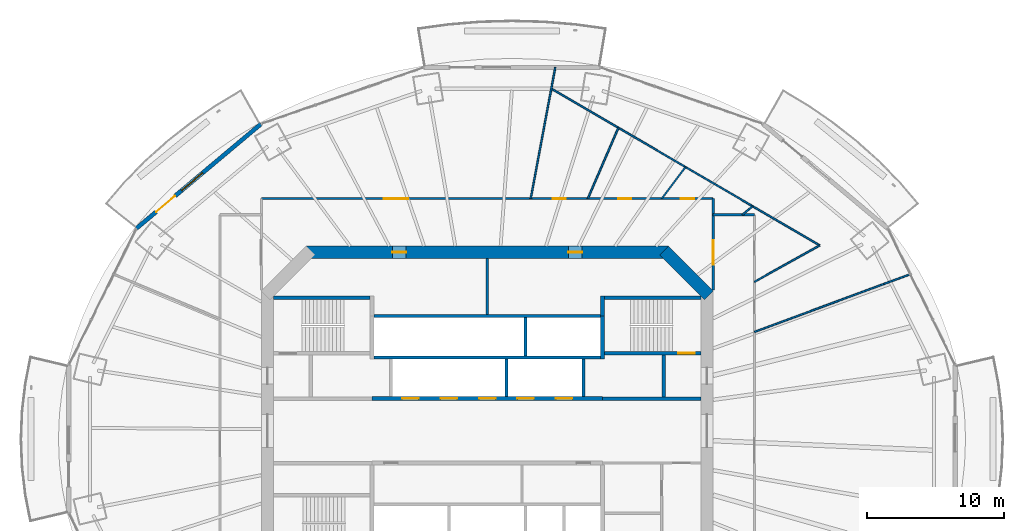
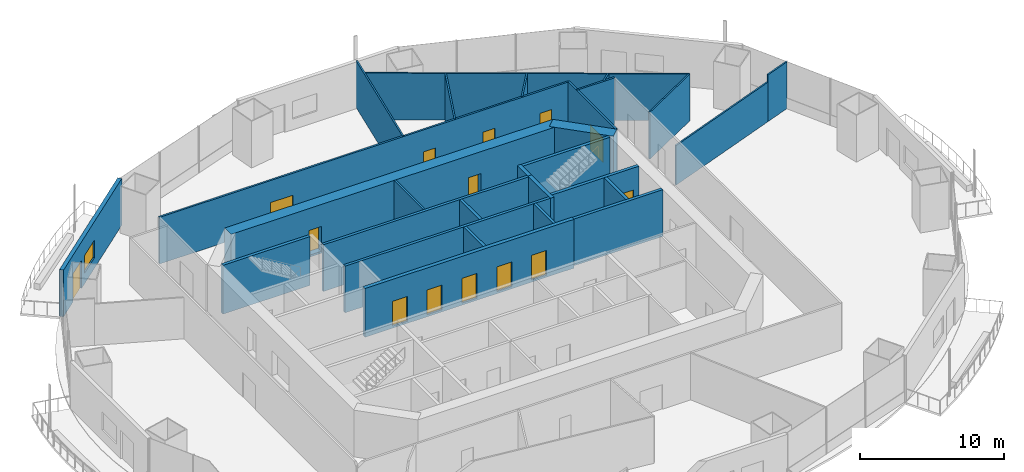
# One storey, part 14 of 21: 28 walls, 14 doors, 1 window, 15 openings.
"""IFC4 building model written with IfcOpenShell, lengths in metres."""

from ifc_helpers import new_model, si_unit, direction, frame, frame_2d, origin, place, context, subcontext, project, spatial, rectangle, extrude, material, layer, layer_set, type_object, element, fill, save


model = new_model("IFC4")

# Units and contexts
model_context = context("Model", 3, precision=1e-05, world=origin(), true_north=direction((0.0, 1.0)))
body_context = subcontext(model_context, "Body", "Model", "MODEL_VIEW")
ifc_project = project(units=[si_unit("LENGTHUNIT", "METRE"), si_unit("AREAUNIT", "SQUARE_METRE"), si_unit("VOLUMEUNIT", "CUBIC_METRE"), si_unit("PLANEANGLEUNIT", "RADIAN"), si_unit("MASSUNIT", "GRAM", prefix="KILO")], contexts=[model_context])

# Site, building, storey
site_placement = place(None, origin())
site = spatial("IfcSite", under=ifc_project, at=site_placement, CompositionType="ELEMENT")
building_placement = place(site_placement, origin())
building = spatial("IfcBuilding", under=site, at=building_placement, Name="Marenthal Gate Tower", CompositionType="ELEMENT")
storey_placement = place(building_placement, frame((0.0, 0.0, 169.35009765625)))
storey = spatial("IfcBuildingStorey", under=building, at=storey_placement, Name="L36", CompositionType="ELEMENT", Elevation=169.35009765625)

# Wall
ifc_material_1 = material(Name="Concrete 60 MPa", Category="concrete")
ifc_layer_1 = layer(ifc_material_1, 0.89990234375)
ifc_layer_set_1 = layer_set([ifc_layer_1], Name="Core shear wall 900")
wall_type_1 = type_object("IfcWallType", Name="Core shear wall 900", PredefinedType="SHEAR", material=ifc_layer_set_1)
wall_1_placement = place(storey_placement, frame((16.1318359375, 9.8681640625, -0.18017578125), z_axis=(0.0, 0.0, 1.0), x_axis=(-0.707106781187, 0.707106781187, 0.0)))
element("IfcWall", 1, at=wall_1_placement, inside=storey, type_object=wall_type_1, Name="Core wall 03", PredefinedType="SHEAR", context=body_context, shape_type="SweptSolid", body=[
    extrude(rectangle(XDim=4.615478515625, YDim=0.89990234375, at=frame_2d((2.3076171875, 0.0))), origin(), (0.0, 0.0, 1.0), 4.150146484375),
])

# Wall, openings, doors
wall_2_placement = place(storey_placement, frame((13.186279296875, 13.0, -0.18017578125), z_axis=(0.0, 0.0, 1.0), x_axis=(-1.0, 0.0, 0.0)))
wall_2 = element("IfcWall", 2, at=wall_2_placement, inside=storey, type_object=wall_type_1, Name="Core wall 04", PredefinedType="SHEAR", context=body_context, shape_type="SweptSolid", body=[
    extrude(rectangle(XDim=26.37255859375, YDim=0.89990234375, at=frame_2d((13.186279296875, 0.0))), origin(), (0.0, 0.0, 1.0), 4.150146484375),
])
opening_1_placement = place(wall_2_placement, frame((19.093505859375, 0.0, 0.179931640625)))
opening_1 = element("IfcOpeningElement", 3, at=opening_1_placement, cuts=wall_2, Name="Opening D005.03", PredefinedType="OPENING", context=body_context, shape_type="SweptSolid", body=[
    extrude(rectangle(XDim=1.0, YDim=2.10009765625, at=frame_2d((0.5, 1.050048828125))), frame((0.0, 0.4599609375, 0.0), z_axis=(0.0, -1.0, 0.0), x_axis=(1.0, 0.0, 0.0)), (0.0, 0.0, 1.0), 0.919921875),
])
opening_2_placement = place(wall_2_placement, frame((6.279296875, 0.0, 0.179931640625)))
opening_2 = element("IfcOpeningElement", 4, at=opening_2_placement, cuts=wall_2, Name="Opening D005.04", PredefinedType="OPENING", context=body_context, shape_type="SweptSolid", body=[
    extrude(rectangle(XDim=1.0, YDim=2.10009765625, at=frame_2d((0.5, 1.050048828125))), frame((0.0, 0.4599609375, 0.0), z_axis=(0.0, -1.0, 0.0), x_axis=(1.0, 0.0, 0.0)), (0.0, 0.0, 1.0), 0.919921875),
])
ifc_material_2 = material(Name="Steel fire door", Category="steel")
door_type_1 = type_object("IfcDoorType", Name="Fire door FD 45 1000 x 2100", OperationType="NOTDEFINED", PredefinedType="DOOR", material=ifc_material_2)
door_1_placement = place(opening_1_placement, origin())
door_1 = element("IfcDoor", 5, at=door_1_placement, inside=storey, type_object=door_type_1, Name="Door D005.03", OperationType="SINGLE_SWING_RIGHT", OverallHeight=2.10009765625, OverallWidth=1.0, PredefinedType="DOOR", context=body_context, shape_type="SweptSolid", body=[
    extrude(rectangle(XDim=1.0, YDim=2.10009765625, at=frame_2d((0.5, 1.050048828125))), frame((0.0, 0.02490234375, 0.0), z_axis=(0.0, -1.0, 0.0), x_axis=(1.0, 0.0, 0.0)), (0.0, 0.0, 1.0), 0.050048828125),
])
fill(opening_1, door_1)
door_2_placement = place(opening_2_placement, origin())
door_2 = element("IfcDoor", 6, at=door_2_placement, inside=storey, type_object=door_type_1, Name="Door D005.04", OperationType="SINGLE_SWING_RIGHT", OverallHeight=2.10009765625, OverallWidth=1.0, PredefinedType="DOOR", context=body_context, shape_type="SweptSolid", body=[
    extrude(rectangle(XDim=1.0, YDim=2.10009765625, at=frame_2d((0.5, 1.050048828125))), frame((0.0, 0.02490234375, 0.0), z_axis=(0.0, -1.0, 0.0), x_axis=(1.0, 0.0, 0.0)), (0.0, 0.0, 1.0), 0.050048828125),
])
fill(opening_2, door_2)

ifc_material_3 = material(Name="Concrete 50 MPa", Category="concrete")
ifc_layer_2 = layer(ifc_material_3, 0.300048828125)
ifc_layer_set_2 = layer_set([ifc_layer_2], Name="Hoistway shear wall 300")
wall_type_2 = type_object("IfcWallType", Name="Hoistway shear wall 300", PredefinedType="SHEAR", material=ifc_layer_set_2)
wall_3_placement = place(storey_placement, frame((-8.39990234375, 2.35009765625, -0.18017578125), z_axis=(0.0, 0.0, 1.0), x_axis=(1.0, 0.0, 0.0)))
wall_3 = element("IfcWall", 7, at=wall_3_placement, inside=storey, type_object=wall_type_2, Name="Hoistway wall 19", PredefinedType="SHEAR", context=body_context, shape_type="SweptSolid", body=[
    extrude(rectangle(XDim=16.7998046875, YDim=0.300048828125, at=frame_2d((8.39990234375, 0.0))), origin(), (0.0, 0.0, 1.0), 4.150146484375),
])
opening_3_placement = place(wall_3_placement, frame((2.199951171875, 0.0, 0.179931640625)))
opening_3 = element("IfcOpeningElement", 8, at=opening_3_placement, cuts=wall_3, Name="Opening LD-MP1", PredefinedType="OPENING", context=body_context, shape_type="SweptSolid", body=[
    extrude(rectangle(XDim=1.199951171875, YDim=2.10009765625, at=frame_2d((0.60009765625, 1.050048828125))), frame((0.0, 0.16015625, 0.0), z_axis=(0.0, -1.0, 0.0), x_axis=(1.0, 0.0, 0.0)), (0.0, 0.0, 1.0), 0.320068359375),
])
opening_4_placement = place(wall_3_placement, frame((5.0, 0.0, 0.179931640625)))
opening_4 = element("IfcOpeningElement", 9, at=opening_4_placement, cuts=wall_3, Name="Opening LD-MP2", PredefinedType="OPENING", context=body_context, shape_type="SweptSolid", body=[
    extrude(rectangle(XDim=1.199951171875, YDim=2.10009765625, at=frame_2d((0.60009765625, 1.050048828125))), frame((0.0, 0.16015625, 0.0), z_axis=(0.0, -1.0, 0.0), x_axis=(1.0, 0.0, 0.0)), (0.0, 0.0, 1.0), 0.320068359375),
])
opening_5_placement = place(wall_3_placement, frame((7.800048828125, 0.0, 0.179931640625)))
opening_5 = element("IfcOpeningElement", 10, at=opening_5_placement, cuts=wall_3, Name="Opening LD-MP3", PredefinedType="OPENING", context=body_context, shape_type="SweptSolid", body=[
    extrude(rectangle(XDim=1.199951171875, YDim=2.10009765625, at=frame_2d((0.60009765625, 1.050048828125))), frame((0.0, 0.16015625, 0.0), z_axis=(0.0, -1.0, 0.0), x_axis=(1.0, 0.0, 0.0)), (0.0, 0.0, 1.0), 0.320068359375),
])
opening_6_placement = place(wall_3_placement, frame((10.60009765625, 0.0, 0.179931640625)))
opening_6 = element("IfcOpeningElement", 11, at=opening_6_placement, cuts=wall_3, Name="Opening LD-MP4", PredefinedType="OPENING", context=body_context, shape_type="SweptSolid", body=[
    extrude(rectangle(XDim=1.199951171875, YDim=2.10009765625, at=frame_2d((0.60009765625, 1.050048828125))), frame((0.0, 0.16015625, 0.0), z_axis=(0.0, -1.0, 0.0), x_axis=(1.0, 0.0, 0.0)), (0.0, 0.0, 1.0), 0.320068359375),
])
opening_7_placement = place(wall_3_placement, frame((13.39990234375, 0.0, 0.179931640625)))
opening_7 = element("IfcOpeningElement", 12, at=opening_7_placement, cuts=wall_3, Name="Opening LD-MP5", PredefinedType="OPENING", context=body_context, shape_type="SweptSolid", body=[
    extrude(rectangle(XDim=1.199951171875, YDim=2.10009765625, at=frame_2d((0.60009765625, 1.050048828125))), frame((0.0, 0.16015625, 0.0), z_axis=(0.0, -1.0, 0.0), x_axis=(1.0, 0.0, 0.0)), (0.0, 0.0, 1.0), 0.320068359375),
])
ifc_material_4 = material(Name="Stainless steel sliding door", Category="steel")
door_type_2 = type_object("IfcDoorType", Name="Lift landing door FD 90 1200 x 2100", OperationType="DOUBLE_DOOR_SLIDING", PredefinedType="DOOR", material=ifc_material_4)
door_3_placement = place(opening_3_placement, origin())
door_3 = element("IfcDoor", 13, at=door_3_placement, inside=storey, type_object=door_type_2, Name="Lift landing door MP1", OperationType="DOUBLE_DOOR_SLIDING", OverallHeight=2.10009765625, OverallWidth=1.199951171875, PredefinedType="DOOR", context=body_context, shape_type="SweptSolid", body=[
    extrude(rectangle(XDim=1.199951171875, YDim=2.10009765625, at=frame_2d((0.60009765625, 1.050048828125))), frame((0.0, 0.02490234375, 0.0), z_axis=(0.0, -1.0, 0.0), x_axis=(1.0, 0.0, 0.0)), (0.0, 0.0, 1.0), 0.050048828125),
])
fill(opening_3, door_3)
door_4_placement = place(opening_4_placement, origin())
door_4 = element("IfcDoor", 14, at=door_4_placement, inside=storey, type_object=door_type_2, Name="Lift landing door MP2", OperationType="DOUBLE_DOOR_SLIDING", OverallHeight=2.10009765625, OverallWidth=1.199951171875, PredefinedType="DOOR", context=body_context, shape_type="SweptSolid", body=[
    extrude(rectangle(XDim=1.199951171875, YDim=2.10009765625, at=frame_2d((0.60009765625, 1.050048828125))), frame((0.0, 0.02490234375, 0.0), z_axis=(0.0, -1.0, 0.0), x_axis=(1.0, 0.0, 0.0)), (0.0, 0.0, 1.0), 0.050048828125),
])
fill(opening_4, door_4)
door_5_placement = place(opening_5_placement, origin())
door_5 = element("IfcDoor", 15, at=door_5_placement, inside=storey, type_object=door_type_2, Name="Lift landing door MP3", OperationType="DOUBLE_DOOR_SLIDING", OverallHeight=2.10009765625, OverallWidth=1.199951171875, PredefinedType="DOOR", context=body_context, shape_type="SweptSolid", body=[
    extrude(rectangle(XDim=1.199951171875, YDim=2.10009765625, at=frame_2d((0.60009765625, 1.050048828125))), frame((0.0, 0.02490234375, 0.0), z_axis=(0.0, -1.0, 0.0), x_axis=(1.0, 0.0, 0.0)), (0.0, 0.0, 1.0), 0.050048828125),
])
fill(opening_5, door_5)
door_6_placement = place(opening_6_placement, origin())
door_6 = element("IfcDoor", 16, at=door_6_placement, inside=storey, type_object=door_type_2, Name="Lift landing door MP4", OperationType="DOUBLE_DOOR_SLIDING", OverallHeight=2.10009765625, OverallWidth=1.199951171875, PredefinedType="DOOR", context=body_context, shape_type="SweptSolid", body=[
    extrude(rectangle(XDim=1.199951171875, YDim=2.10009765625, at=frame_2d((0.60009765625, 1.050048828125))), frame((0.0, 0.02490234375, 0.0), z_axis=(0.0, -1.0, 0.0), x_axis=(1.0, 0.0, 0.0)), (0.0, 0.0, 1.0), 0.050048828125),
])
fill(opening_6, door_6)
door_7_placement = place(opening_7_placement, origin())
door_7 = element("IfcDoor", 17, at=door_7_placement, inside=storey, type_object=door_type_2, Name="Lift landing door MP5", OperationType="DOUBLE_DOOR_SLIDING", OverallHeight=2.10009765625, OverallWidth=1.199951171875, PredefinedType="DOOR", context=body_context, shape_type="SweptSolid", body=[
    extrude(rectangle(XDim=1.199951171875, YDim=2.10009765625, at=frame_2d((0.60009765625, 1.050048828125))), frame((0.0, 0.02490234375, 0.0), z_axis=(0.0, -1.0, 0.0), x_axis=(1.0, 0.0, 0.0)), (0.0, 0.0, 1.0), 0.050048828125),
])
fill(opening_7, door_7)

# Walls
wall_4_placement = place(storey_placement, frame((8.39990234375, 5.239990234375, -0.18017578125), z_axis=(0.0, 0.0, 1.0), x_axis=(0.0, 1.0, 0.0)))
element("IfcWall", 18, at=wall_4_placement, inside=storey, type_object=wall_type_2, Name="Hoistway wall 45", PredefinedType="SHEAR", context=body_context, shape_type="SweptSolid", body=[
    extrude(rectangle(XDim=3.110107421875, YDim=0.300048828125, at=frame_2d((1.55517578125, 0.0))), origin(), (0.0, 0.0, 1.0), 4.150146484375),
])
ifc_material_5 = material(Name="Concrete 40 MPa", Category="concrete")
ifc_layer_3 = layer(ifc_material_5, 0.219970703125)
ifc_layer_set_3 = layer_set([ifc_layer_3], Name="Hoistway wall 220")
wall_type_3 = type_object("IfcWallType", Name="Hoistway wall 220", PredefinedType="STANDARD", material=ifc_layer_set_3)
for number, where, z_axis, x_axis, name in (
    (19, (-8.25, 5.35009765625, 0.0), (0.0, 0.0, 1.0), (1.0, 0.0, 0.0), "Hoistway wall 21"),
    (20, (-8.25, 8.35009765625, 0.0), (0.0, 0.0, 1.0), (1.0, 0.0, 0.0), "Hoistway wall 24"),
):
    element("IfcWall", number, at=place(storey_placement, frame(where, z_axis=z_axis, x_axis=x_axis)), inside=storey, type_object=wall_type_3, Name=name, PredefinedType="STANDARD", context=body_context, shape_type="SweptSolid", body=[
        extrude(rectangle(XDim=16.5, YDim=0.219970703125, at=frame_2d((8.25, 0.0))), origin(), (0.0, 0.0, 1.0), 3.969970703125),
    ])
wall_5_placement = place(storey_placement, frame((1.39990234375, 2.5, 0.0), z_axis=(0.0, 0.0, 1.0), x_axis=(0.0, 1.0, 0.0)))
element("IfcWall", 21, at=wall_5_placement, inside=storey, type_object=wall_type_3, Name="Hoistway wall 37", PredefinedType="STANDARD", context=body_context, shape_type="SweptSolid", body=[
    extrude(rectangle(XDim=2.739990234375, YDim=0.219970703125, at=frame_2d((1.3701171875, 0.0))), origin(), (0.0, 0.0, 1.0), 3.969970703125),
])
wall_6_placement = place(storey_placement, frame((2.800048828125, 5.4599609375, 0.0), z_axis=(0.0, 0.0, 1.0), x_axis=(0.0, 1.0, 0.0)))
element("IfcWall", 22, at=wall_6_placement, inside=storey, type_object=wall_type_3, Name="Hoistway wall 40", PredefinedType="STANDARD", context=body_context, shape_type="SweptSolid", body=[
    extrude(rectangle(XDim=2.780029296875, YDim=0.219970703125, at=frame_2d((1.39013671875, 0.0))), origin(), (0.0, 0.0, 1.0), 3.969970703125),
])
wall_7_placement = place(storey_placement, frame((7.0, 2.5, 0.0), z_axis=(0.0, 0.0, 1.0), x_axis=(0.0, 1.0, 0.0)))
element("IfcWall", 23, at=wall_7_placement, inside=storey, type_object=wall_type_3, Name="Hoistway wall 42", PredefinedType="STANDARD", context=body_context, shape_type="SweptSolid", body=[
    extrude(rectangle(XDim=2.739990234375, YDim=0.219970703125, at=frame_2d((1.3701171875, 0.0))), origin(), (0.0, 0.0, 1.0), 3.969970703125),
])
ifc_material_6 = material(Name="Gypsum board on steel studs", Category="steel")
ifc_layer_4 = layer(ifc_material_6, 0.1201171875)
ifc_layer_set_4 = layer_set([ifc_layer_4], Name="Partition 120")
wall_type_4 = type_object("IfcWallType", Name="Partition 120", PredefinedType="PARTITIONING", material=ifc_layer_set_4)
wall_8_placement = place(storey_placement, frame((3.162109375, 16.90380859375, 0.0), z_axis=(0.0, 0.0, 1.0), x_axis=(0.183861029676, 0.982952247958, 0.0)))
element("IfcWall", 24, at=wall_8_placement, inside=storey, type_object=wall_type_4, Name="Partition wall 58", PredefinedType="PARTITIONING", context=body_context, shape_type="SweptSolid", body=[
    extrude(rectangle(XDim=9.723876953125, YDim=0.1201171875, at=frame_2d((4.86181640625, 0.0))), origin(), (0.0, 0.0, 1.0), 3.969970703125),
])
wall_9_placement = place(storey_placement, frame((9.547119140625, 22.0625, 0.0), z_axis=(0.0, 0.0, 1.0), x_axis=(-0.397156395758, -0.917750945142, 0.0)))
element("IfcWall", 25, at=wall_9_placement, inside=storey, type_object=wall_type_4, Name="Partition wall 60", PredefinedType="PARTITIONING", context=body_context, shape_type="SweptSolid", body=[
    extrude(rectangle(XDim=5.62109375, YDim=0.1201171875, at=frame_2d((2.810546875, 0.0))), origin(), (0.0, 0.0, 1.0), 3.969970703125),
])
wall_10_placement = place(storey_placement, frame((14.43310546875, 19.208984375, 0.0), z_axis=(0.0, 0.0, 1.0), x_axis=(-0.600731295076, -0.799451006076, 0.0)))
element("IfcWall", 26, at=wall_10_placement, inside=storey, type_object=wall_type_4, Name="Partition wall 61", PredefinedType="PARTITIONING", context=body_context, shape_type="SweptSolid", body=[
    extrude(rectangle(XDim=2.883544921875, YDim=0.1201171875, at=frame_2d((1.44189453125, 0.0))), origin(), (0.0, 0.0, 1.0), 3.969970703125),
])
wall_11_placement = place(storey_placement, frame((19.3193359375, 16.355712890625, 0.0), z_axis=(0.0, 0.0, 1.0), x_axis=(-0.763098484836, -0.646282215786, 0.0)))
element("IfcWall", 27, at=wall_11_placement, inside=storey, type_object=wall_type_4, Name="Partition wall 64", PredefinedType="PARTITIONING", context=body_context, shape_type="SweptSolid", body=[
    extrude(rectangle(XDim=0.965576171875, YDim=0.1201171875, at=frame_2d((0.48291015625, 0.0))), origin(), (0.0, 0.0, 1.0), 3.969970703125),
])
wall_12_placement = place(storey_placement, frame((19.449951171875, 7.202880859375, 0.0), z_axis=(0.0, 0.0, 1.0), x_axis=(0.937755221978, 0.347296909939, 0.0)))
element("IfcWall", 28, at=wall_12_placement, inside=storey, type_object=wall_type_4, Name="Partition wall 66", PredefinedType="PARTITIONING", context=body_context, shape_type="SweptSolid", body=[
    extrude(rectangle(XDim=10.027099609375, YDim=0.1201171875, at=frame_2d((5.013671875, 0.0))), origin(), (0.0, 0.0, 1.0), 3.35791015625),
])
wall_13_placement = place(storey_placement, frame((28.85302734375, 10.685302734375, 0.0), z_axis=(0.0, 0.0, 1.0), x_axis=(0.937792808767, 0.347195402944, 0.0)))
element("IfcWall", 29, at=wall_13_placement, inside=storey, type_object=wall_type_4, Name="Partition wall 71", PredefinedType="PARTITIONING", context=body_context, shape_type="SweptSolid", body=[
    extrude(rectangle(XDim=2.072265625, YDim=0.1201171875, at=frame_2d((1.0361328125, 0.0))), origin(), (0.0, 0.0, 1.0), 3.969970703125),
])
wall_14_placement = place(storey_placement, frame((24.20556640625, 13.50244140625, 0.0), z_axis=(0.0, 0.0, 1.0), x_axis=(-0.863538195042, 0.504283437864, 0.0)))
element("IfcWall", 30, at=wall_14_placement, inside=storey, type_object=wall_type_4, Name="Partition wall 68", PredefinedType="PARTITIONING", context=body_context, shape_type="SweptSolid", body=[
    extrude(rectangle(XDim=22.63330078125, YDim=0.1201171875, at=frame_2d((11.316650390625, 0.0))), origin(), (0.0, 0.0, 1.0), 3.969970703125),
])
wall_15_placement = place(storey_placement, frame((24.20556640625, 13.50244140625, 0.0), z_axis=(0.0, 0.0, 1.0), x_axis=(-0.873312155931, -0.487161039394, 0.0)))
element("IfcWall", 31, at=wall_15_placement, inside=storey, type_object=wall_type_4, Name="Partition wall 69", PredefinedType="PARTITIONING", context=body_context, shape_type="SweptSolid", body=[
    extrude(rectangle(XDim=5.445556640625, YDim=0.1201171875, at=frame_2d((2.72265625, 0.0))), origin(), (0.0, 0.0, 1.0), 3.969970703125),
])
ifc_material_7 = material(Name="Gypsum board on steel studs", Category="steel")
ifc_layer_5 = layer(ifc_material_7, 0.14990234375)
ifc_layer_set_5 = layer_set([ifc_layer_5], Name="Partition 150")
wall_type_5 = type_object("IfcWallType", Name="Partition 150", PredefinedType="PARTITIONING", material=ifc_layer_set_5)
wall_16_placement = place(storey_placement, frame((0.0, 8.4599609375, 0.0), z_axis=(0.0, 0.0, 1.0), x_axis=(0.0, 1.0, 0.0)))
element("IfcWall", 32, at=wall_16_placement, inside=storey, type_object=wall_type_5, Name="Partition wall 36", PredefinedType="PARTITIONING", context=body_context, shape_type="SweptSolid", body=[
    extrude(rectangle(XDim=4.090087890625, YDim=0.14990234375, at=frame_2d((2.044921875, 0.0))), origin(), (0.0, 0.0, 1.0), 3.969970703125),
])

# Wall, openings, doors
wall_17_placement = place(storey_placement, frame((-16.449951171875, 16.90380859375, 0.0), z_axis=(0.0, 0.0, 1.0), x_axis=(1.0, 0.0, 0.0)))
wall_17 = element("IfcWall", 33, at=wall_17_placement, inside=storey, type_object=wall_type_5, Name="Partition wall 54", PredefinedType="PARTITIONING", context=body_context, shape_type="SweptSolid", body=[
    extrude(rectangle(XDim=32.89990234375, YDim=0.14990234375, at=frame_2d((16.449951171875, 0.0))), origin(), (0.0, 0.0, 1.0), 3.969970703125),
])
opening_8_placement = place(wall_17_placement, frame((30.550048828125, 0.0, 0.0)))
opening_8 = element("IfcOpeningElement", 34, at=opening_8_placement, cuts=wall_17, Name="Opening D016.02", PredefinedType="OPENING", context=body_context, shape_type="SweptSolid", body=[
    extrude(rectangle(XDim=0.949951171875, YDim=2.10009765625, at=frame_2d((0.47509765625, 1.050048828125))), frame((0.0, 0.0849609375, 0.0), z_axis=(0.0, -1.0, 0.0), x_axis=(1.0, 0.0, 0.0)), (0.0, 0.0, 1.0), 0.169921875),
])
opening_9_placement = place(wall_17_placement, frame((25.98291015625, 0.0, 0.0)))
opening_9 = element("IfcOpeningElement", 35, at=opening_9_placement, cuts=wall_17, Name="Opening D016.03", PredefinedType="OPENING", context=body_context, shape_type="SweptSolid", body=[
    extrude(rectangle(XDim=0.949951171875, YDim=2.10009765625, at=frame_2d((0.47509765625, 1.050048828125))), frame((0.0, 0.0849609375, 0.0), z_axis=(0.0, -1.0, 0.0), x_axis=(1.0, 0.0, 0.0)), (0.0, 0.0, 1.0), 0.169921875),
])
opening_10_placement = place(wall_17_placement, frame((21.212890625, 0.0, 0.0)))
opening_10 = element("IfcOpeningElement", 36, at=opening_10_placement, cuts=wall_17, Name="Opening D016.04", PredefinedType="OPENING", context=body_context, shape_type="SweptSolid", body=[
    extrude(rectangle(XDim=0.949951171875, YDim=2.10009765625, at=frame_2d((0.47509765625, 1.050048828125))), frame((0.0, 0.0849609375, 0.0), z_axis=(0.0, -1.0, 0.0), x_axis=(1.0, 0.0, 0.0)), (0.0, 0.0, 1.0), 0.169921875),
])
opening_11_placement = place(wall_17_placement, frame((8.906005859375, 0.0, 0.0)))
opening_11 = element("IfcOpeningElement", 37, at=opening_11_placement, cuts=wall_17, Name="Opening D014.01", PredefinedType="OPENING", context=body_context, shape_type="SweptSolid", body=[
    extrude(rectangle(XDim=1.800048828125, YDim=2.10009765625, at=frame_2d((0.89990234375, 1.050048828125))), frame((0.0, 0.0849609375, 0.0), z_axis=(0.0, -1.0, 0.0), x_axis=(1.0, 0.0, 0.0)), (0.0, 0.0, 1.0), 0.169921875),
])
ifc_material_8 = material(Name="Timber door", Category="wood")
door_type_3 = type_object("IfcDoorType", Name="Door 950 x 2100", OperationType="NOTDEFINED", PredefinedType="DOOR", material=ifc_material_8)
door_8_placement = place(opening_8_placement, origin())
door_8 = element("IfcDoor", 38, at=door_8_placement, inside=storey, type_object=door_type_3, Name="Door D016.02", OperationType="SINGLE_SWING_RIGHT", OverallHeight=2.10009765625, OverallWidth=0.949951171875, PredefinedType="DOOR", context=body_context, shape_type="SweptSolid", body=[
    extrude(rectangle(XDim=0.949951171875, YDim=2.10009765625, at=frame_2d((0.47509765625, 1.050048828125))), frame((0.0, 0.02490234375, 0.0), z_axis=(0.0, -1.0, 0.0), x_axis=(1.0, 0.0, 0.0)), (0.0, 0.0, 1.0), 0.050048828125),
])
fill(opening_8, door_8)
door_9_placement = place(opening_9_placement, origin())
door_9 = element("IfcDoor", 39, at=door_9_placement, inside=storey, type_object=door_type_3, Name="Door D016.03", OperationType="SINGLE_SWING_RIGHT", OverallHeight=2.10009765625, OverallWidth=0.949951171875, PredefinedType="DOOR", context=body_context, shape_type="SweptSolid", body=[
    extrude(rectangle(XDim=0.949951171875, YDim=2.10009765625, at=frame_2d((0.47509765625, 1.050048828125))), frame((0.0, 0.02490234375, 0.0), z_axis=(0.0, -1.0, 0.0), x_axis=(1.0, 0.0, 0.0)), (0.0, 0.0, 1.0), 0.050048828125),
])
fill(opening_9, door_9)
door_10_placement = place(opening_10_placement, origin())
door_10 = element("IfcDoor", 40, at=door_10_placement, inside=storey, type_object=door_type_3, Name="Door D016.04", OperationType="SINGLE_SWING_RIGHT", OverallHeight=2.10009765625, OverallWidth=0.949951171875, PredefinedType="DOOR", context=body_context, shape_type="SweptSolid", body=[
    extrude(rectangle(XDim=0.949951171875, YDim=2.10009765625, at=frame_2d((0.47509765625, 1.050048828125))), frame((0.0, 0.02490234375, 0.0), z_axis=(0.0, -1.0, 0.0), x_axis=(1.0, 0.0, 0.0)), (0.0, 0.0, 1.0), 0.050048828125),
])
fill(opening_10, door_10)
ifc_material_9 = material(Name="Timber door", Category="wood")
door_type_4 = type_object("IfcDoorType", Name="Double door 1800 x 2100", OperationType="DOUBLE_DOOR_SINGLE_SWING", PredefinedType="DOOR", material=ifc_material_9)
door_11_placement = place(opening_11_placement, origin())
door_11 = element("IfcDoor", 41, at=door_11_placement, inside=storey, type_object=door_type_4, Name="Door D014.01", OperationType="DOUBLE_DOOR_SINGLE_SWING", OverallHeight=2.10009765625, OverallWidth=1.800048828125, PredefinedType="DOOR", context=body_context, shape_type="SweptSolid", body=[
    extrude(rectangle(XDim=1.800048828125, YDim=2.10009765625, at=frame_2d((0.89990234375, 1.050048828125))), frame((0.0, 0.02490234375, 0.0), z_axis=(0.0, -1.0, 0.0), x_axis=(1.0, 0.0, 0.0)), (0.0, 0.0, 1.0), 0.050048828125),
])
fill(opening_11, door_11)

# Wall, opening, door
wall_18_placement = place(storey_placement, frame((16.449951171875, 10.25, 0.0), z_axis=(0.0, 0.0, 1.0), x_axis=(0.0, 1.0, 0.0)))
wall_18 = element("IfcWall", 42, at=wall_18_placement, inside=storey, type_object=wall_type_5, Name="Partition wall 62", PredefinedType="PARTITIONING", context=body_context, shape_type="SweptSolid", body=[
    extrude(rectangle(XDim=6.65380859375, YDim=0.14990234375, at=frame_2d((3.326904296875, 0.0))), origin(), (0.0, 0.0, 1.0), 3.969970703125),
])
opening_12_placement = place(wall_18_placement, frame((1.841064453125, 0.0, 0.0)))
opening_12 = element("IfcOpeningElement", 43, at=opening_12_placement, cuts=wall_18, Name="Opening D014.06", PredefinedType="OPENING", context=body_context, shape_type="SweptSolid", body=[
    extrude(rectangle(XDim=1.800048828125, YDim=2.10009765625, at=frame_2d((0.89990234375, 1.050048828125))), frame((0.0, 0.0849609375, 0.0), z_axis=(0.0, -1.0, 0.0), x_axis=(1.0, 0.0, 0.0)), (0.0, 0.0, 1.0), 0.169921875),
])
door_12_placement = place(opening_12_placement, origin())
door_12 = element("IfcDoor", 44, at=door_12_placement, inside=storey, type_object=door_type_4, Name="Door D014.06", OperationType="DOUBLE_DOOR_SINGLE_SWING", OverallHeight=2.10009765625, OverallWidth=1.800048828125, PredefinedType="DOOR", context=body_context, shape_type="SweptSolid", body=[
    extrude(rectangle(XDim=1.800048828125, YDim=2.10009765625, at=frame_2d((0.89990234375, 1.050048828125))), frame((0.0, 0.02490234375, 0.0), z_axis=(0.0, -1.0, 0.0), x_axis=(1.0, 0.0, 0.0)), (0.0, 0.0, 1.0), 0.050048828125),
])
fill(opening_12, door_12)

# Walls
wall_19_placement = place(storey_placement, frame((16.449951171875, 15.731689453125, 0.0), z_axis=(0.0, 0.0, 1.0), x_axis=(1.0, 0.0, 0.0)))
element("IfcWall", 45, at=wall_19_placement, inside=storey, type_object=wall_type_5, Name="Partition wall 63", PredefinedType="PARTITIONING", context=body_context, shape_type="SweptSolid", body=[
    extrude(rectangle(XDim=3.0, YDim=0.14990234375, at=frame_2d((1.5, 0.0))), origin(), (0.0, 0.0, 1.0), 3.969970703125),
])
ifc_material_10 = material(Name="Concrete 40 MPa", Category="concrete")
ifc_layer_6 = layer(ifc_material_10, 0.25)
ifc_layer_set_6 = layer_set([ifc_layer_6], Name="Stair enclosure wall 250")
wall_type_6 = type_object("IfcWallType", Name="Stair enclosure wall 250", PredefinedType="STANDARD", material=ifc_layer_set_6)
wall_20_placement = place(storey_placement, frame((8.39990234375, 2.35009765625, 0.0), z_axis=(0.0, 0.0, 1.0), x_axis=(1.0, 0.0, 0.0)))
element("IfcWall", 46, at=wall_20_placement, inside=storey, type_object=wall_type_6, Name="Stair wall 20", PredefinedType="STANDARD", context=body_context, shape_type="SweptSolid", body=[
    extrude(rectangle(XDim=7.150146484375, YDim=0.25, at=frame_2d((3.5751953125, 0.0))), origin(), (0.0, 0.0, 1.0), 3.969970703125),
])
wall_21_placement = place(storey_placement, frame((12.85009765625, 2.47509765625, 0.0), z_axis=(0.0, 0.0, 1.0), x_axis=(0.0, 1.0, 0.0)))
element("IfcWall", 47, at=wall_21_placement, inside=storey, type_object=wall_type_6, Name="Stair wall 48", PredefinedType="STANDARD", context=body_context, shape_type="SweptSolid", body=[
    extrude(rectangle(XDim=3.0498046875, YDim=0.25, at=frame_2d((1.52490234375, 0.0))), origin(), (0.0, 0.0, 1.0), 3.969970703125),
])

# Wall, opening, door
ifc_material_11 = material(Name="Concrete 50 MPa", Category="concrete")
ifc_layer_7 = layer(ifc_material_11, 0.25)
ifc_layer_set_7 = layer_set([ifc_layer_7], Name="Stair shear wall 250")
wall_type_7 = type_object("IfcWallType", Name="Stair shear wall 250", PredefinedType="SHEAR", material=ifc_layer_set_7)
wall_22_placement = place(storey_placement, frame((8.550048828125, 5.64990234375, -0.18017578125), z_axis=(0.0, 0.0, 1.0), x_axis=(1.0, 0.0, 0.0)))
wall_22 = element("IfcWall", 48, at=wall_22_placement, inside=storey, type_object=wall_type_7, Name="Stair wall 23", PredefinedType="SHEAR", context=body_context, shape_type="SweptSolid", body=[
    extrude(rectangle(XDim=7.0, YDim=0.25, at=frame_2d((3.5, 0.0))), origin(), (0.0, 0.0, 1.0), 4.150146484375),
])
opening_13_placement = place(wall_22_placement, frame((5.35009765625, 0.0, 0.179931640625)))
opening_13 = element("IfcOpeningElement", 49, at=opening_13_placement, cuts=wall_22, Name="Opening D001.02", PredefinedType="OPENING", context=body_context, shape_type="SweptSolid", body=[
    extrude(rectangle(XDim=1.199951171875, YDim=2.10009765625, at=frame_2d((0.60009765625, 1.050048828125))), frame((0.0, 0.135009765625, 0.0), z_axis=(0.0, -1.0, 0.0), x_axis=(1.0, 0.0, 0.0)), (0.0, 0.0, 1.0), 0.27001953125),
])
ifc_material_12 = material(Name="Steel fire door", Category="steel")
door_type_5 = type_object("IfcDoorType", Name="Fire door FD 90 1200 x 2100", OperationType="NOTDEFINED", PredefinedType="DOOR", material=ifc_material_12)
door_13_placement = place(opening_13_placement, origin())
door_13 = element("IfcDoor", 50, at=door_13_placement, inside=storey, type_object=door_type_5, Name="Door D001.02", OperationType="SINGLE_SWING_RIGHT", OverallHeight=2.10009765625, OverallWidth=1.199951171875, PredefinedType="DOOR", context=body_context, shape_type="SweptSolid", body=[
    extrude(rectangle(XDim=1.199951171875, YDim=2.10009765625, at=frame_2d((0.60009765625, 1.050048828125))), frame((0.0, 0.02490234375, 0.0), z_axis=(0.0, -1.0, 0.0), x_axis=(1.0, 0.0, 0.0)), (0.0, 0.0, 1.0), 0.050048828125),
])
fill(opening_13, door_13)

# Walls
for number, where, z_axis, x_axis, name in (
    (51, (-15.550048828125, 9.699951171875, -0.18017578125), (0.0, 0.0, 1.0), (1.0, 0.0, 0.0), "Stair wall 25"),
    (52, (8.550048828125, 9.699951171875, -0.18017578125), (0.0, 0.0, 1.0), (1.0, 0.0, 0.0), "Stair wall 26"),
):
    element("IfcWall", number, at=place(storey_placement, frame(where, z_axis=z_axis, x_axis=x_axis)), inside=storey, type_object=wall_type_7, Name=name, PredefinedType="SHEAR", context=body_context, shape_type="SweptSolid", body=[
        extrude(rectangle(XDim=7.0, YDim=0.25, at=frame_2d((3.5, 0.0))), origin(), (0.0, 0.0, 1.0), 4.150146484375),
    ])
ifc_material_13 = material(Name="Concrete 50 MPa", Category="concrete")
ifc_layer_8 = layer(ifc_material_13, 0.300048828125)
ifc_layer_set_8 = layer_set([ifc_layer_8], Name="Stair shear wall 300")
wall_type_8 = type_object("IfcWallType", Name="Stair shear wall 300", PredefinedType="SHEAR", material=ifc_layer_set_8)
wall_23_placement = place(storey_placement, frame((8.39990234375, 8.35009765625, -0.18017578125), z_axis=(0.0, 0.0, 1.0), x_axis=(0.0, 1.0, 0.0)))
element("IfcWall", 53, at=wall_23_placement, inside=storey, type_object=wall_type_8, Name="Stair wall 46", PredefinedType="SHEAR", context=body_context, shape_type="SweptSolid", body=[
    extrude(rectangle(XDim=1.474853515625, YDim=0.300048828125, at=frame_2d((0.7373046875, 0.0))), origin(), (0.0, 0.0, 1.0), 4.150146484375),
])

# Wall, openings, door, window
ifc_material_14 = material(Name="Terracotta cladding on insulated concrete-block backing", Category="masonry")
ifc_layer_9 = layer(ifc_material_14, 0.300048828125)
ifc_layer_set_9 = layer_set([ifc_layer_9], Name="Terracotta facade wall 300")
wall_type_9 = type_object("IfcWallType", Name="Terracotta facade wall 300", PredefinedType="SOLIDWALL", material=ifc_layer_set_9)
wall_24_placement = place(storey_placement, frame((-16.477783203125, 22.341796875, 0.0), z_axis=(0.0, 0.0, 1.0), x_axis=(-0.766197107622, -0.642605627327, 0.0)))
wall_24 = element("IfcWall", 54, at=wall_24_placement, inside=storey, type_object=wall_type_9, Name="Terracotta facade wall L36 bay 6", PredefinedType="SOLIDWALL", context=body_context, shape_type="SweptSolid", body=[
    extrude(rectangle(XDim=11.846435546875, YDim=0.300048828125, at=frame_2d((5.92333984375, 0.0))), origin(), (0.0, 0.0, 1.0), 3.969970703125),
])
opening_14_placement = place(wall_24_placement, frame((8.146484375, 0.0, 0.0)))
opening_14 = element("IfcOpeningElement", 55, at=opening_14_placement, cuts=wall_24, Name="Opening BD-L36-06", PredefinedType="OPENING", context=body_context, shape_type="SweptSolid", body=[
    extrude(rectangle(XDim=1.800048828125, YDim=2.39990234375, at=frame_2d((0.89990234375, 1.199951171875))), frame((0.0, 0.16015625, 0.0), z_axis=(0.0, -1.0, 0.0), x_axis=(1.0, 0.0, 0.0)), (0.0, 0.0, 1.0), 0.320068359375),
])
opening_15_placement = place(wall_24_placement, frame((5.54638671875, 0.0, 0.89990234375)))
opening_15 = element("IfcOpeningElement", 56, at=opening_15_placement, cuts=wall_24, Name="Opening WN2-L36-06", PredefinedType="OPENING", context=body_context, shape_type="SweptSolid", body=[
    extrude(rectangle(XDim=2.0, YDim=1.5, at=frame_2d((1.0, 0.75))), frame((0.0, 0.16015625, 0.0), z_axis=(0.0, -1.0, 0.0), x_axis=(1.0, 0.0, 0.0)), (0.0, 0.0, 1.0), 0.320068359375),
])
ifc_material_15 = material(Name="Aluminium and glass", Category="aluminium")
door_type_6 = type_object("IfcDoorType", Name="Balcony door 1800x2400", OperationType="DOUBLE_DOOR_SINGLE_SWING", PredefinedType="DOOR", material=ifc_material_15)
door_14_placement = place(opening_14_placement, origin())
door_14 = element("IfcDoor", 57, at=door_14_placement, inside=storey, type_object=door_type_6, Name="Balcony door L36 bay 6", OperationType="SINGLE_SWING_LEFT", OverallHeight=2.39990234375, OverallWidth=1.800048828125, PredefinedType="DOOR", context=body_context, shape_type="SweptSolid", body=[
    extrude(rectangle(XDim=1.800048828125, YDim=2.39990234375, at=frame_2d((0.89990234375, 1.199951171875))), frame((0.0, 0.02490234375, 0.0), z_axis=(0.0, -1.0, 0.0), x_axis=(1.0, 0.0, 0.0)), (0.0, 0.0, 1.0), 0.050048828125),
])
fill(opening_14, door_14)
ifc_material_16 = material(Name="Aluminium and glass", Category="aluminium")
window_type = type_object("IfcWindowType", Name="Window 2000x1500", PartitioningType="DOUBLE_PANEL_VERTICAL", PredefinedType="WINDOW", material=ifc_material_16)
window_placement = place(opening_15_placement, origin())
window = element("IfcWindow", 58, at=window_placement, inside=storey, type_object=window_type, Name="Window L36 bay 6", OverallHeight=1.5, OverallWidth=2.0, PartitioningType="SINGLE_PANEL", PredefinedType="WINDOW", context=body_context, shape_type="SweptSolid", body=[
    extrude(rectangle(XDim=2.0, YDim=1.5, at=frame_2d((1.0, 0.75))), frame((0.0, 0.030029296875, 0.0), z_axis=(0.0, -1.0, 0.0), x_axis=(1.0, 0.0, 0.0)), (0.0, 0.0, 1.0), 0.06005859375),
])
fill(opening_15, window)

save(model, "model.ifc")
